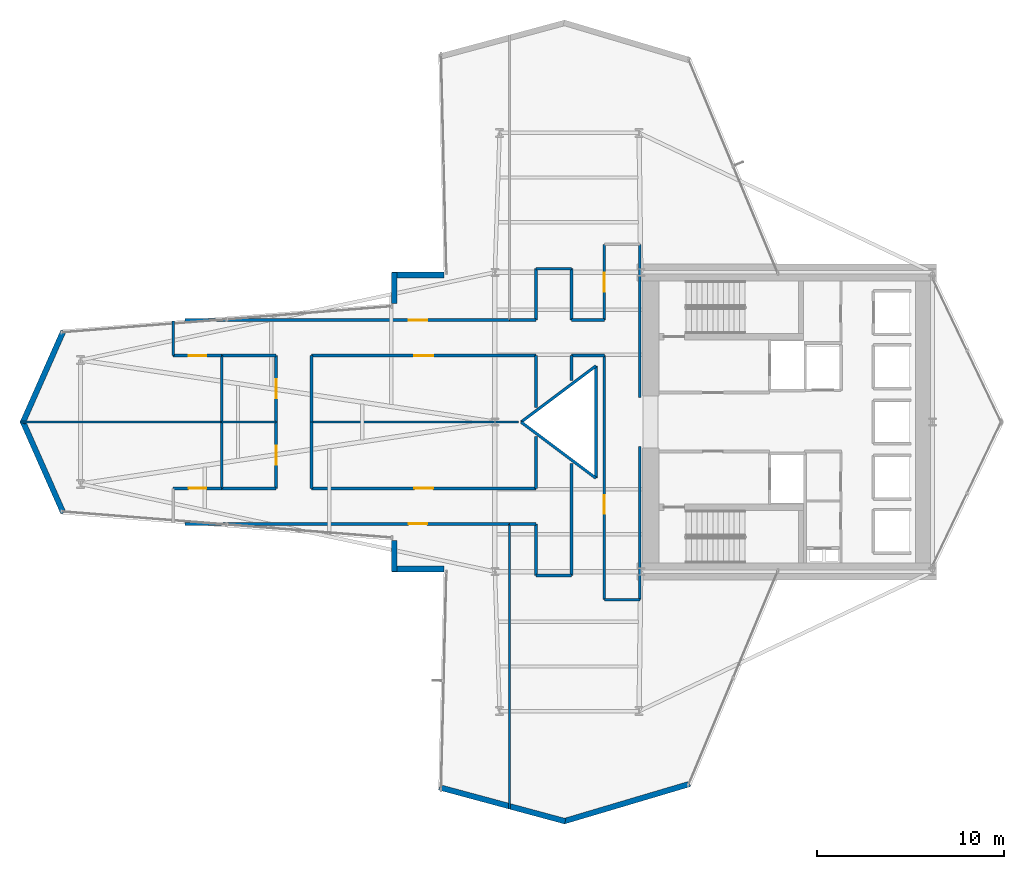
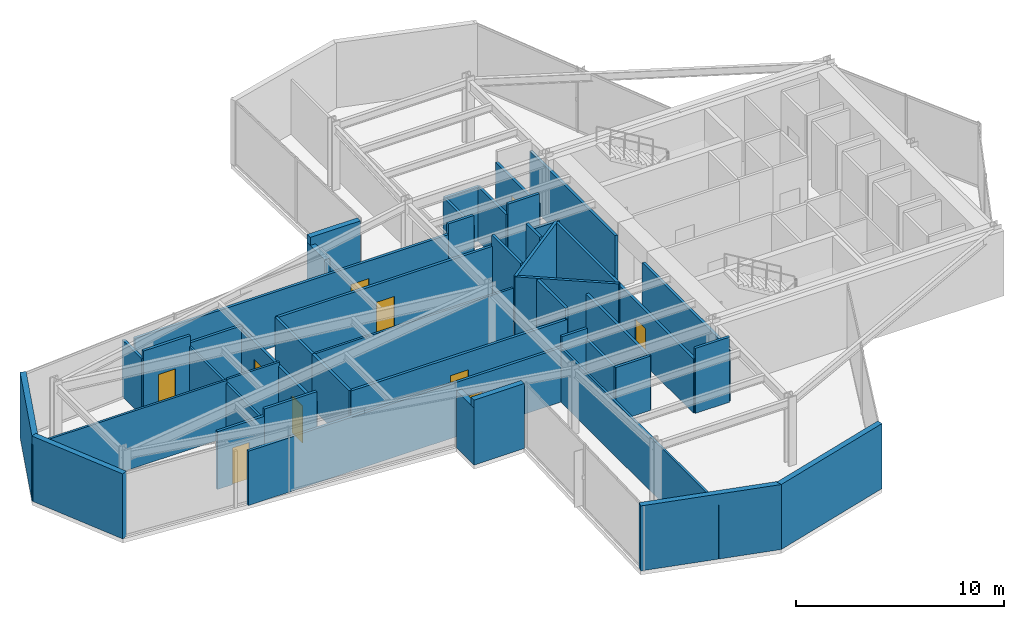
# One storey, part 22 of 25: 48 walls, 10 doors, 10 openings.
"""IFC4 building model written with IfcOpenShell, lengths in metres."""

from ifc_helpers import new_model, si_unit, direction, frame, frame_2d, origin, place, context, subcontext, project, spatial, rectangle, extrude, material, layer, layer_set, type_object, element, fill, save


model = new_model("IFC4")

# Units and contexts
model_context = context("Model", 3, precision=1e-05, world=origin(), true_north=direction((0.0, 1.0)))
body_context = subcontext(model_context, "Body", "Model", "MODEL_VIEW")
ifc_project = project(units=[si_unit("LENGTHUNIT", "METRE"), si_unit("AREAUNIT", "SQUARE_METRE"), si_unit("VOLUMEUNIT", "CUBIC_METRE"), si_unit("PLANEANGLEUNIT", "RADIAN"), si_unit("MASSUNIT", "GRAM", prefix="KILO")], contexts=[model_context])

# Site, building, storey
site_placement = place(None, origin())
site = spatial("IfcSite", under=ifc_project, at=site_placement, CompositionType="ELEMENT")
building_placement = place(site_placement, origin())
building = spatial("IfcBuilding", under=site, at=building_placement, Name="Veymaron Broadcast Tower", CompositionType="ELEMENT")
storey_placement = place(building_placement, frame((0.0, 0.0, 74.25)))
storey = spatial("IfcBuildingStorey", under=building, at=storey_placement, Name="L16", CompositionType="ELEMENT", Elevation=74.25)

# Walls
ifc_material_1 = material(Name="Precast concrete C40/50 with mineral-wool insulation", Category="concrete")
ifc_layer_1 = layer(ifc_material_1, 0.300048828125)
ifc_layer_set_1 = layer_set([ifc_layer_1], Name="Precast concrete C40/50 with mineral-wool insulation")
wall_type_1 = type_object("IfcWallType", Name="WALL-EXT-300", PredefinedType="STANDARD", material=ifc_layer_set_1)
wall_1_placement = place(storey_placement, frame((28.468505859375, 31.860107421875, 0.0), z_axis=(0.0, 0.0, 1.0), x_axis=(-1.0, 0.0, 0.0)))
element("IfcWall", 1, at=wall_1_placement, inside=storey, type_object=wall_type_1, Name="L16 notched corner facade pier 9-1", PredefinedType="STANDARD", context=body_context, shape_type="SweptSolid", body=[
    extrude(rectangle(XDim=2.780517578125, YDim=0.300048828125, at=frame_2d((1.39013671875, 0.0))), origin(), (0.0, 0.0, 1.0), 3.81005859375),
])
wall_2_placement = place(storey_placement, frame((25.827880859375, 32.0, 0.0), z_axis=(0.0, 0.0, 1.0), x_axis=(0.0, -1.0, 0.0)))
element("IfcWall", 2, at=wall_2_placement, inside=storey, type_object=wall_type_1, Name="L16 notched corner facade pier 10-1", PredefinedType="STANDARD", context=body_context, shape_type="SweptSolid", body=[
    extrude(rectangle(XDim=1.67529296875, YDim=0.300048828125, at=frame_2d((0.837646484375, 0.0))), origin(), (0.0, 0.0, 1.0), 3.337890625),
])
for number, where, z_axis, x_axis, name in (
    (3, (8.1279296875, 28.8701171875, 0.0), (0.0, 0.0, 1.0), (-0.405234544412, -0.914212756428, 0.0), "L16 notched corner facade pier 12-1"),
    (4, (5.944091796875, 24.056640625, 0.0), (0.0, 0.0, 1.0), (0.405234544412, -0.914212756428, 0.0), "L16 notched corner facade pier 13-1"),
):
    element("IfcWall", number, at=place(storey_placement, frame(where, z_axis=z_axis, x_axis=x_axis)), inside=storey, type_object=wall_type_1, Name=name, PredefinedType="STANDARD", context=body_context, shape_type="SweptSolid", body=[
        extrude(rectangle(XDim=5.38916015625, YDim=0.300048828125, at=frame_2d((2.694580078125, 0.0))), origin(), (0.0, 0.0, 1.0), 3.81005859375),
    ])
wall_3_placement = place(storey_placement, frame((25.827880859375, 17.67529296875, 0.0), z_axis=(0.0, 0.0, 1.0), x_axis=(0.0, -1.0, 0.0)))
element("IfcWall", 5, at=wall_3_placement, inside=storey, type_object=wall_type_1, Name="L16 notched corner facade pier 15-1", PredefinedType="STANDARD", context=body_context, shape_type="SweptSolid", body=[
    extrude(rectangle(XDim=1.67529296875, YDim=0.300048828125, at=frame_2d((0.837646484375, 0.0))), origin(), (0.0, 0.0, 1.0), 3.337890625),
])
wall_4_placement = place(storey_placement, frame((25.68798828125, 16.139892578125, 0.0), z_axis=(0.0, 0.0, 1.0), x_axis=(1.0, 0.0, 0.0)))
element("IfcWall", 6, at=wall_4_placement, inside=storey, type_object=wall_type_1, Name="L16 notched corner facade pier 16-1", PredefinedType="STANDARD", context=body_context, shape_type="SweptSolid", body=[
    extrude(rectangle(XDim=2.780517578125, YDim=0.300048828125, at=frame_2d((1.39013671875, 0.0))), origin(), (0.0, 0.0, 1.0), 3.81005859375),
])
wall_5_placement = place(storey_placement, frame((28.220458984375, 4.46923828125, 0.0), z_axis=(0.0, 0.0, 1.0), x_axis=(0.965438319853, -0.260631637679, 0.0)))
element("IfcWall", 7, at=wall_5_placement, inside=storey, type_object=wall_type_1, Name="L16 notched corner facade pier 18-1", PredefinedType="STANDARD", context=body_context, shape_type="SweptSolid", body=[
    extrude(rectangle(XDim=6.9833984375, YDim=0.300048828125, at=frame_2d((3.49169921875, 0.0))), origin(), (0.0, 0.0, 1.0), 3.81005859375),
])
wall_6_placement = place(storey_placement, frame((34.885986328125, 2.648193359375, 0.0), z_axis=(0.0, 0.0, 1.0), x_axis=(0.958632659024, 0.284646140064, 0.0)))
element("IfcWall", 8, at=wall_6_placement, inside=storey, type_object=wall_type_1, Name="L16 notched corner facade pier 19-1", PredefinedType="STANDARD", context=body_context, shape_type="SweptSolid", body=[
    extrude(rectangle(XDim=7.033203125, YDim=0.300048828125, at=frame_2d((3.5166015625, 0.0))), origin(), (0.0, 0.0, 1.0), 3.81005859375),
])

# Wall, opening, door
ifc_material_2 = material(Name="Gypsum fireboard and steel stud framing", Category="steel")
ifc_layer_2 = layer(ifc_material_2, 0.14990234375)
ifc_layer_set_2 = layer_set([ifc_layer_2], Name="Gypsum fireboard and steel stud framing")
wall_type_2 = type_object("IfcWallType", Name="WALL-FIRE-150", PredefinedType="PARTITIONING", material=ifc_layer_set_2)
wall_7_placement = place(storey_placement, frame((37.050048828125, 14.5, 0.0), z_axis=(0.0, 0.0, 1.0), x_axis=(0.0, 1.0, 0.0)))
wall_7 = element("IfcWall", 9, at=wall_7_placement, inside=storey, type_object=wall_type_2, Name="L16 partition IW-L16-P01", PredefinedType="PARTITIONING", context=body_context, shape_type="SweptSolid", body=[
    extrude(rectangle(XDim=13.050048828125, YDim=0.14990234375, at=frame_2d((6.52490234375, 0.0))), origin(), (0.0, 0.0, 1.0), 3.180908203125),
])
opening_1_placement = place(wall_7_placement, frame((4.5849609375, 0.0, 0.0)))
opening_1 = element("IfcOpeningElement", 10, at=opening_1_placement, cuts=wall_7, Name="Opening ID-RM3", PredefinedType="OPENING", context=body_context, shape_type="SweptSolid", body=[
    extrude(rectangle(XDim=1.0, YDim=2.14990234375, at=frame_2d((0.5, 1.074951171875))), frame((0.0, 0.0849609375, 0.0), z_axis=(0.0, -1.0, 0.0), x_axis=(1.0, 0.0, 0.0)), (0.0, 0.0, 1.0), 0.169921875),
])
ifc_material_3 = material(Name="Acoustic solid-core European oak veneer timber", Category="wood")
door_type_1 = type_object("IfcDoorType", Name="DOOR-INT-1000", OperationType="NOTDEFINED", PredefinedType="DOOR", material=ifc_material_3)
door_1_placement = place(opening_1_placement, frame((1.0, 0.0, 0.0), z_axis=(0.0, 0.0, 1.0), x_axis=(-1.0, 0.0, 0.0)))
door_1 = element("IfcDoor", 11, at=door_1_placement, inside=storey, type_object=door_type_1, Name="L16 door DR-L16-P01", OperationType="SINGLE_SWING_RIGHT", OverallHeight=2.14990234375, OverallWidth=1.0, PredefinedType="DOOR", context=body_context, shape_type="SweptSolid", body=[
    extrude(rectangle(XDim=1.0, YDim=2.14990234375, at=frame_2d((0.5, 1.074951171875))), frame((0.0, 0.02490234375, 0.0), z_axis=(0.0, -1.0, 0.0), x_axis=(1.0, 0.0, 0.0)), (0.0, 0.0, 1.0), 0.050048828125),
])
fill(opening_1, door_1)

wall_8_placement = place(storey_placement, frame((14.619873046875, 18.550048828125, 0.0), z_axis=(0.0, 0.0, 1.0), x_axis=(1.0, 0.0, 0.0)))
wall_8 = element("IfcWall", 12, at=wall_8_placement, inside=storey, type_object=wall_type_2, Name="L16 partition IW-L16-P10", PredefinedType="PARTITIONING", context=body_context, shape_type="SweptSolid", body=[
    extrude(rectangle(XDim=17.364013671875, YDim=0.14990234375, at=frame_2d((8.68212890625, 0.0))), origin(), (0.0, 0.0, 1.0), 3.180908203125),
])
opening_2_placement = place(wall_8_placement, frame((11.962158203125, 0.0, 0.0)))
opening_2 = element("IfcOpeningElement", 13, at=opening_2_placement, cuts=wall_8, Name="Opening ID-RM3", PredefinedType="OPENING", context=body_context, shape_type="SweptSolid", body=[
    extrude(rectangle(XDim=1.0, YDim=2.14990234375, at=frame_2d((0.5, 1.074951171875))), frame((0.0, 0.0849609375, 0.0), z_axis=(0.0, -1.0, 0.0), x_axis=(1.0, 0.0, 0.0)), (0.0, 0.0, 1.0), 0.169921875),
])
door_2_placement = place(opening_2_placement, frame((1.0, 0.0, 0.0), z_axis=(0.0, 0.0, 1.0), x_axis=(-1.0, 0.0, 0.0)))
door_2 = element("IfcDoor", 14, at=door_2_placement, inside=storey, type_object=door_type_1, Name="L16 door DR-L16-P10", OperationType="SINGLE_SWING_LEFT", OverallHeight=2.14990234375, OverallWidth=1.0, PredefinedType="DOOR", context=body_context, shape_type="SweptSolid", body=[
    extrude(rectangle(XDim=1.0, YDim=2.14990234375, at=frame_2d((0.5, 1.074951171875))), frame((0.0, 0.02490234375, 0.0), z_axis=(0.0, -1.0, 0.0), x_axis=(1.0, 0.0, 0.0)), (0.0, 0.0, 1.0), 0.050048828125),
])
fill(opening_2, door_2)

wall_9_placement = place(storey_placement, frame((14.0, 20.449951171875, 0.0), z_axis=(0.0, 0.0, 1.0), x_axis=(1.0, 0.0, 0.0)))
wall_9 = element("IfcWall", 15, at=wall_9_placement, inside=storey, type_object=wall_type_2, Name="L16 partition IW-L16-P11", PredefinedType="PARTITIONING", context=body_context, shape_type="SweptSolid", body=[
    extrude(rectangle(XDim=2.591064453125, YDim=0.14990234375, at=frame_2d((1.29541015625, 0.0))), origin(), (0.0, 0.0, 1.0), 3.39111328125),
])
opening_3_placement = place(wall_9_placement, frame((0.820556640625, 0.0, 0.0)))
opening_3 = element("IfcOpeningElement", 16, at=opening_3_placement, cuts=wall_9, Name="Opening ID-RM1", PredefinedType="OPENING", context=body_context, shape_type="SweptSolid", body=[
    extrude(rectangle(XDim=0.949951171875, YDim=2.14990234375, at=frame_2d((0.47509765625, 1.074951171875))), frame((0.0, 0.0849609375, 0.0), z_axis=(0.0, -1.0, 0.0), x_axis=(1.0, 0.0, 0.0)), (0.0, 0.0, 1.0), 0.169921875),
])
door_type_2 = type_object("IfcDoorType", Name="DOOR-INT-950", OperationType="NOTDEFINED", PredefinedType="DOOR", material=ifc_material_3)
door_3_placement = place(opening_3_placement, origin())
door_3 = element("IfcDoor", 17, at=door_3_placement, inside=storey, type_object=door_type_2, Name="L16 door DR-L16-P11", OperationType="SINGLE_SWING_RIGHT", OverallHeight=2.14990234375, OverallWidth=0.949951171875, PredefinedType="DOOR", context=body_context, shape_type="SweptSolid", body=[
    extrude(rectangle(XDim=0.949951171875, YDim=2.14990234375, at=frame_2d((0.47509765625, 1.074951171875))), frame((0.0, 0.02490234375, 0.0), z_axis=(0.0, -1.0, 0.0), x_axis=(1.0, 0.0, 0.0)), (0.0, 0.0, 1.0), 0.050048828125),
])
fill(opening_3, door_3)

wall_10_placement = place(storey_placement, frame((21.39990234375, 20.449951171875, 0.0), z_axis=(0.0, 0.0, 1.0), x_axis=(1.0, 0.0, 0.0)))
wall_10 = element("IfcWall", 18, at=wall_10_placement, inside=storey, type_object=wall_type_2, Name="L16 partition IW-L16-P13", PredefinedType="PARTITIONING", context=body_context, shape_type="SweptSolid", body=[
    extrude(rectangle(XDim=12.0, YDim=0.14990234375, at=frame_2d((6.0, 0.0))), origin(), (0.0, 0.0, 1.0), 3.180908203125),
])
opening_4_placement = place(wall_10_placement, frame((5.5, 0.0, 0.0)))
opening_4 = element("IfcOpeningElement", 19, at=opening_4_placement, cuts=wall_10, Name="Opening ID-RM3", PredefinedType="OPENING", context=body_context, shape_type="SweptSolid", body=[
    extrude(rectangle(XDim=1.0, YDim=2.14990234375, at=frame_2d((0.5, 1.074951171875))), frame((0.0, 0.0849609375, 0.0), z_axis=(0.0, -1.0, 0.0), x_axis=(1.0, 0.0, 0.0)), (0.0, 0.0, 1.0), 0.169921875),
])
door_4_placement = place(opening_4_placement, origin())
door_4 = element("IfcDoor", 20, at=door_4_placement, inside=storey, type_object=door_type_1, Name="L16 door DR-L16-P13", OperationType="SINGLE_SWING_RIGHT", OverallHeight=2.14990234375, OverallWidth=1.0, PredefinedType="DOOR", context=body_context, shape_type="SweptSolid", body=[
    extrude(rectangle(XDim=1.0, YDim=2.14990234375, at=frame_2d((0.5, 1.074951171875))), frame((0.0, 0.02490234375, 0.0), z_axis=(0.0, -1.0, 0.0), x_axis=(1.0, 0.0, 0.0)), (0.0, 0.0, 1.0), 0.050048828125),
])
fill(opening_4, door_4)

wall_11_placement = place(storey_placement, frame((19.5, 20.449951171875, 0.0), z_axis=(0.0, 0.0, 1.0), x_axis=(0.0, 1.0, 0.0)))
wall_11 = element("IfcWall", 21, at=wall_11_placement, inside=storey, type_object=wall_type_2, Name="L16 partition IW-L16-P16", PredefinedType="PARTITIONING", context=body_context, shape_type="SweptSolid", body=[
    extrude(rectangle(XDim=3.550048828125, YDim=0.14990234375, at=frame_2d((1.77490234375, 0.0))), origin(), (0.0, 0.0, 1.0), 3.180908203125),
])
opening_5_placement = place(wall_11_placement, frame((1.27490234375, 0.0, 0.0)))
opening_5 = element("IfcOpeningElement", 22, at=opening_5_placement, cuts=wall_11, Name="Opening ID-RM3", PredefinedType="OPENING", context=body_context, shape_type="SweptSolid", body=[
    extrude(rectangle(XDim=1.0, YDim=2.14990234375, at=frame_2d((0.5, 1.074951171875))), frame((0.0, 0.0849609375, 0.0), z_axis=(0.0, -1.0, 0.0), x_axis=(1.0, 0.0, 0.0)), (0.0, 0.0, 1.0), 0.169921875),
])
door_5_placement = place(opening_5_placement, origin())
door_5 = element("IfcDoor", 23, at=door_5_placement, inside=storey, type_object=door_type_1, Name="L16 door DR-L16-P16", OperationType="SINGLE_SWING_LEFT", OverallHeight=2.14990234375, OverallWidth=1.0, PredefinedType="DOOR", context=body_context, shape_type="SweptSolid", body=[
    extrude(rectangle(XDim=1.0, YDim=2.14990234375, at=frame_2d((0.5, 1.074951171875))), frame((0.0, 0.02490234375, 0.0), z_axis=(0.0, -1.0, 0.0), x_axis=(1.0, 0.0, 0.0)), (0.0, 0.0, 1.0), 0.050048828125),
])
fill(opening_5, door_5)

wall_12_placement = place(storey_placement, frame((19.5, 24.0, 0.0), z_axis=(0.0, 0.0, 1.0), x_axis=(0.0, 1.0, 0.0)))
wall_12 = element("IfcWall", 24, at=wall_12_placement, inside=storey, type_object=wall_type_2, Name="L16 partition IW-L16-P18", PredefinedType="PARTITIONING", context=body_context, shape_type="SweptSolid", body=[
    extrude(rectangle(XDim=3.550048828125, YDim=0.14990234375, at=frame_2d((1.77490234375, 0.0))), origin(), (0.0, 0.0, 1.0), 3.180908203125),
])
opening_6_placement = place(wall_12_placement, frame((1.27490234375, 0.0, 0.0)))
opening_6 = element("IfcOpeningElement", 25, at=opening_6_placement, cuts=wall_12, Name="Opening ID-RM3", PredefinedType="OPENING", context=body_context, shape_type="SweptSolid", body=[
    extrude(rectangle(XDim=1.0, YDim=2.14990234375, at=frame_2d((0.5, 1.074951171875))), frame((0.0, 0.0849609375, 0.0), z_axis=(0.0, -1.0, 0.0), x_axis=(1.0, 0.0, 0.0)), (0.0, 0.0, 1.0), 0.169921875),
])
door_6_placement = place(opening_6_placement, origin())
door_6 = element("IfcDoor", 26, at=door_6_placement, inside=storey, type_object=door_type_1, Name="L16 door DR-L16-P18", OperationType="SINGLE_SWING_LEFT", OverallHeight=2.14990234375, OverallWidth=1.0, PredefinedType="DOOR", context=body_context, shape_type="SweptSolid", body=[
    extrude(rectangle(XDim=1.0, YDim=2.14990234375, at=frame_2d((0.5, 1.074951171875))), frame((0.0, 0.02490234375, 0.0), z_axis=(0.0, -1.0, 0.0), x_axis=(1.0, 0.0, 0.0)), (0.0, 0.0, 1.0), 0.050048828125),
])
fill(opening_6, door_6)

wall_13_placement = place(storey_placement, frame((21.39990234375, 27.550048828125, 0.0), z_axis=(0.0, 0.0, 1.0), x_axis=(1.0, 0.0, 0.0)))
wall_13 = element("IfcWall", 27, at=wall_13_placement, inside=storey, type_object=wall_type_2, Name="L16 partition IW-L16-P20", PredefinedType="PARTITIONING", context=body_context, shape_type="SweptSolid", body=[
    extrude(rectangle(XDim=12.0, YDim=0.14990234375, at=frame_2d((6.0, 0.0))), origin(), (0.0, 0.0, 1.0), 3.180908203125),
])
opening_7_placement = place(wall_13_placement, frame((5.5, 0.0, 0.0)))
opening_7 = element("IfcOpeningElement", 28, at=opening_7_placement, cuts=wall_13, Name="Opening ID-RM3", PredefinedType="OPENING", context=body_context, shape_type="SweptSolid", body=[
    extrude(rectangle(XDim=1.0, YDim=2.14990234375, at=frame_2d((0.5, 1.074951171875))), frame((0.0, 0.0849609375, 0.0), z_axis=(0.0, -1.0, 0.0), x_axis=(1.0, 0.0, 0.0)), (0.0, 0.0, 1.0), 0.169921875),
])
door_7_placement = place(opening_7_placement, frame((1.0, 0.0, 0.0), z_axis=(0.0, 0.0, 1.0), x_axis=(-1.0, 0.0, 0.0)))
door_7 = element("IfcDoor", 29, at=door_7_placement, inside=storey, type_object=door_type_1, Name="L16 door DR-L16-P20", OperationType="SINGLE_SWING_LEFT", OverallHeight=2.14990234375, OverallWidth=1.0, PredefinedType="DOOR", context=body_context, shape_type="SweptSolid", body=[
    extrude(rectangle(XDim=1.0, YDim=2.14990234375, at=frame_2d((0.5, 1.074951171875))), frame((0.0, 0.02490234375, 0.0), z_axis=(0.0, -1.0, 0.0), x_axis=(1.0, 0.0, 0.0)), (0.0, 0.0, 1.0), 0.050048828125),
])
fill(opening_7, door_7)

wall_14_placement = place(storey_placement, frame((14.0, 27.550048828125, 0.0), z_axis=(0.0, 0.0, 1.0), x_axis=(1.0, 0.0, 0.0)))
wall_14 = element("IfcWall", 30, at=wall_14_placement, inside=storey, type_object=wall_type_2, Name="L16 partition IW-L16-P23", PredefinedType="PARTITIONING", context=body_context, shape_type="SweptSolid", body=[
    extrude(rectangle(XDim=2.591064453125, YDim=0.14990234375, at=frame_2d((1.29541015625, 0.0))), origin(), (0.0, 0.0, 1.0), 3.81005859375),
])
opening_8_placement = place(wall_14_placement, frame((0.820556640625, 0.0, 0.0)))
opening_8 = element("IfcOpeningElement", 31, at=opening_8_placement, cuts=wall_14, Name="Opening ID-RM1", PredefinedType="OPENING", context=body_context, shape_type="SweptSolid", body=[
    extrude(rectangle(XDim=0.949951171875, YDim=2.14990234375, at=frame_2d((0.47509765625, 1.074951171875))), frame((0.0, 0.0849609375, 0.0), z_axis=(0.0, -1.0, 0.0), x_axis=(1.0, 0.0, 0.0)), (0.0, 0.0, 1.0), 0.169921875),
])
door_8_placement = place(opening_8_placement, frame((0.949951171875, 0.0, 0.0), z_axis=(0.0, 0.0, 1.0), x_axis=(-1.0, 0.0, 0.0)))
door_8 = element("IfcDoor", 32, at=door_8_placement, inside=storey, type_object=door_type_2, Name="L16 door DR-L16-P23", OperationType="SINGLE_SWING_RIGHT", OverallHeight=2.14990234375, OverallWidth=0.949951171875, PredefinedType="DOOR", context=body_context, shape_type="SweptSolid", body=[
    extrude(rectangle(XDim=0.949951171875, YDim=2.14990234375, at=frame_2d((0.47509765625, 1.074951171875))), frame((0.0, 0.02490234375, 0.0), z_axis=(0.0, -1.0, 0.0), x_axis=(1.0, 0.0, 0.0)), (0.0, 0.0, 1.0), 0.050048828125),
])
fill(opening_8, door_8)

wall_15_placement = place(storey_placement, frame((14.619873046875, 29.449951171875, 0.0), z_axis=(0.0, 0.0, 1.0), x_axis=(1.0, 0.0, 0.0)))
wall_15 = element("IfcWall", 33, at=wall_15_placement, inside=storey, type_object=wall_type_2, Name="L16 partition IW-L16-P25", PredefinedType="PARTITIONING", context=body_context, shape_type="SweptSolid", body=[
    extrude(rectangle(XDim=17.364013671875, YDim=0.14990234375, at=frame_2d((8.68212890625, 0.0))), origin(), (0.0, 0.0, 1.0), 3.180908203125),
])
opening_9_placement = place(wall_15_placement, frame((11.962158203125, 0.0, 0.0)))
opening_9 = element("IfcOpeningElement", 34, at=opening_9_placement, cuts=wall_15, Name="Opening ID-RM3", PredefinedType="OPENING", context=body_context, shape_type="SweptSolid", body=[
    extrude(rectangle(XDim=1.0, YDim=2.14990234375, at=frame_2d((0.5, 1.074951171875))), frame((0.0, 0.0849609375, 0.0), z_axis=(0.0, -1.0, 0.0), x_axis=(1.0, 0.0, 0.0)), (0.0, 0.0, 1.0), 0.169921875),
])
door_9_placement = place(opening_9_placement, origin())
door_9 = element("IfcDoor", 35, at=door_9_placement, inside=storey, type_object=door_type_1, Name="L16 door DR-L16-P25", OperationType="SINGLE_SWING_RIGHT", OverallHeight=2.14990234375, OverallWidth=1.0, PredefinedType="DOOR", context=body_context, shape_type="SweptSolid", body=[
    extrude(rectangle(XDim=1.0, YDim=2.14990234375, at=frame_2d((0.5, 1.074951171875))), frame((0.0, 0.02490234375, 0.0), z_axis=(0.0, -1.0, 0.0), x_axis=(1.0, 0.0, 0.0)), (0.0, 0.0, 1.0), 0.050048828125),
])
fill(opening_9, door_9)

wall_16_placement = place(storey_placement, frame((37.050048828125, 29.449951171875, 0.0), z_axis=(0.0, 0.0, 1.0), x_axis=(0.0, 1.0, 0.0)))
wall_16 = element("IfcWall", 36, at=wall_16_placement, inside=storey, type_object=wall_type_2, Name="L16 partition IW-L16-P27", PredefinedType="PARTITIONING", context=body_context, shape_type="SweptSolid", body=[
    extrude(rectangle(XDim=4.050048828125, YDim=0.14990234375, at=frame_2d((2.02490234375, 0.0))), origin(), (0.0, 0.0, 1.0), 3.180908203125),
])
opening_10_placement = place(wall_16_placement, frame((1.52490234375, 0.0, 0.0)))
opening_10 = element("IfcOpeningElement", 37, at=opening_10_placement, cuts=wall_16, Name="Opening ID-RM3", PredefinedType="OPENING", context=body_context, shape_type="SweptSolid", body=[
    extrude(rectangle(XDim=1.0, YDim=2.14990234375, at=frame_2d((0.5, 1.074951171875))), frame((0.0, 0.0849609375, 0.0), z_axis=(0.0, -1.0, 0.0), x_axis=(1.0, 0.0, 0.0)), (0.0, 0.0, 1.0), 0.169921875),
])
door_10_placement = place(opening_10_placement, origin())
door_10 = element("IfcDoor", 38, at=door_10_placement, inside=storey, type_object=door_type_1, Name="L16 door DR-L16-P27", OperationType="SINGLE_SWING_RIGHT", OverallHeight=2.14990234375, OverallWidth=1.0, PredefinedType="DOOR", context=body_context, shape_type="SweptSolid", body=[
    extrude(rectangle(XDim=1.0, YDim=2.14990234375, at=frame_2d((0.5, 1.074951171875))), frame((0.0, 0.02490234375, 0.0), z_axis=(0.0, -1.0, 0.0), x_axis=(1.0, 0.0, 0.0)), (0.0, 0.0, 1.0), 0.050048828125),
])
fill(opening_10, door_10)

# Walls
wall_17_placement = place(storey_placement, frame((38.949951171875, 14.5, 0.0), z_axis=(0.0, 0.0, 1.0), x_axis=(0.0, 1.0, 0.0)))
element("IfcWall", 39, at=wall_17_placement, inside=storey, type_object=wall_type_2, Name="L16 partition IW-L16-P02", PredefinedType="PARTITIONING", context=body_context, shape_type="SweptSolid", body=[
    extrude(rectangle(XDim=8.199951171875, YDim=0.14990234375, at=frame_2d((4.10009765625, 0.0))), origin(), (0.0, 0.0, 1.0), 3.180908203125),
])
wall_18_placement = place(storey_placement, frame((35.300048828125, 15.800048828125, 0.0), z_axis=(0.0, 0.0, 1.0), x_axis=(0.0, 1.0, 0.0)))
element("IfcWall", 40, at=wall_18_placement, inside=storey, type_object=wall_type_2, Name="L16 partition IW-L16-P03", PredefinedType="PARTITIONING", context=body_context, shape_type="SweptSolid", body=[
    extrude(rectangle(XDim=5.987548828125, YDim=0.14990234375, at=frame_2d((2.99365234375, 0.0))), origin(), (0.0, 0.0, 1.0), 3.180908203125),
])
wall_19_placement = place(storey_placement, frame((33.39990234375, 15.800048828125, 0.0), z_axis=(0.0, 0.0, 1.0), x_axis=(0.0, 1.0, 0.0)))
element("IfcWall", 41, at=wall_19_placement, inside=storey, type_object=wall_type_2, Name="L16 partition IW-L16-P04", PredefinedType="PARTITIONING", context=body_context, shape_type="SweptSolid", body=[
    extrude(rectangle(XDim=2.75, YDim=0.14990234375, at=frame_2d((1.375, 0.0))), origin(), (0.0, 0.0, 1.0), 3.180908203125),
])
wall_20_placement = place(storey_placement, frame((37.050048828125, 14.5, 0.0), z_axis=(0.0, 0.0, 1.0), x_axis=(1.0, 0.0, 0.0)))
element("IfcWall", 42, at=wall_20_placement, inside=storey, type_object=wall_type_2, Name="L16 partition IW-L16-P05", PredefinedType="PARTITIONING", context=body_context, shape_type="SweptSolid", body=[
    extrude(rectangle(XDim=1.89990234375, YDim=0.14990234375, at=frame_2d((0.949951171875, 0.0))), origin(), (0.0, 0.0, 1.0), 3.81005859375),
])
wall_21_placement = place(storey_placement, frame((33.39990234375, 15.800048828125, 0.0), z_axis=(0.0, 0.0, 1.0), x_axis=(1.0, 0.0, 0.0)))
element("IfcWall", 43, at=wall_21_placement, inside=storey, type_object=wall_type_2, Name="L16 partition IW-L16-P06", PredefinedType="PARTITIONING", context=body_context, shape_type="SweptSolid", body=[
    extrude(rectangle(XDim=1.900146484375, YDim=0.14990234375, at=frame_2d((0.9501953125, 0.0))), origin(), (0.0, 0.0, 1.0), 3.180908203125),
])
wall_22_placement = place(storey_placement, frame((35.300048828125, 27.550048828125, 0.0), z_axis=(0.0, 0.0, 1.0), x_axis=(1.0, 0.0, 0.0)))
element("IfcWall", 44, at=wall_22_placement, inside=storey, type_object=wall_type_2, Name="L16 partition IW-L16-P07", PredefinedType="PARTITIONING", context=body_context, shape_type="SweptSolid", body=[
    extrude(rectangle(XDim=1.75, YDim=0.14990234375, at=frame_2d((0.875, 0.0))), origin(), (0.0, 0.0, 1.0), 3.39111328125),
])
wall_23_placement = place(storey_placement, frame((31.98388671875, 18.550048828125, 0.0), z_axis=(0.0, 0.0, 1.0), x_axis=(1.0, 0.0, 0.0)))
element("IfcWall", 45, at=wall_23_placement, inside=storey, type_object=wall_type_2, Name="L16 partition IW-L16-P08", PredefinedType="PARTITIONING", context=body_context, shape_type="SweptSolid", body=[
    extrude(rectangle(XDim=1.416015625, YDim=0.14990234375, at=frame_2d((0.7080078125, 0.0))), origin(), (0.0, 0.0, 1.0), 3.81005859375),
])
wall_24_placement = place(storey_placement, frame((35.300048828125, 26.21240234375, 0.0), z_axis=(0.0, 0.0, 1.0), x_axis=(0.0, 1.0, 0.0)))
element("IfcWall", 46, at=wall_24_placement, inside=storey, type_object=wall_type_2, Name="L16 partition IW-L16-P09", PredefinedType="PARTITIONING", context=body_context, shape_type="SweptSolid", body=[
    extrude(rectangle(XDim=1.337646484375, YDim=0.14990234375, at=frame_2d((0.6689453125, 0.0))), origin(), (0.0, 0.0, 1.0), 3.81005859375),
])
wall_25_placement = place(storey_placement, frame((21.39990234375, 20.449951171875, 0.0), z_axis=(0.0, 0.0, 1.0), x_axis=(0.0, 1.0, 0.0)))
element("IfcWall", 47, at=wall_25_placement, inside=storey, type_object=wall_type_2, Name="L16 partition IW-L16-P14", PredefinedType="PARTITIONING", context=body_context, shape_type="SweptSolid", body=[
    extrude(rectangle(XDim=3.550048828125, YDim=0.14990234375, at=frame_2d((1.77490234375, 0.0))), origin(), (0.0, 0.0, 1.0), 3.180908203125),
])
wall_26_placement = place(storey_placement, frame((33.39990234375, 20.449951171875, 0.0), z_axis=(0.0, 0.0, 1.0), x_axis=(0.0, 1.0, 0.0)))
element("IfcWall", 48, at=wall_26_placement, inside=storey, type_object=wall_type_2, Name="L16 partition IW-L16-P15", PredefinedType="PARTITIONING", context=body_context, shape_type="SweptSolid", body=[
    extrude(rectangle(XDim=2.762451171875, YDim=0.14990234375, at=frame_2d((1.38134765625, 0.0))), origin(), (0.0, 0.0, 1.0), 3.81005859375),
])
wall_27_placement = place(storey_placement, frame((16.591064453125, 20.449951171875, 0.0), z_axis=(0.0, 0.0, 1.0), x_axis=(1.0, 0.0, 0.0)))
element("IfcWall", 49, at=wall_27_placement, inside=storey, type_object=wall_type_2, Name="L16 partition IW-L16-P17", PredefinedType="PARTITIONING", context=body_context, shape_type="SweptSolid", body=[
    extrude(rectangle(XDim=2.908935546875, YDim=0.14990234375, at=frame_2d((1.45458984375, 0.0))), origin(), (0.0, 0.0, 1.0), 3.81005859375),
])
wall_28_placement = place(storey_placement, frame((16.591064453125, 27.550048828125, 0.0), z_axis=(0.0, 0.0, 1.0), x_axis=(1.0, 0.0, 0.0)))
element("IfcWall", 50, at=wall_28_placement, inside=storey, type_object=wall_type_2, Name="L16 partition IW-L16-P19", PredefinedType="PARTITIONING", context=body_context, shape_type="SweptSolid", body=[
    extrude(rectangle(XDim=2.908935546875, YDim=0.14990234375, at=frame_2d((1.45458984375, 0.0))), origin(), (0.0, 0.0, 1.0), 3.39111328125),
])
wall_29_placement = place(storey_placement, frame((21.39990234375, 24.0, 0.0), z_axis=(0.0, 0.0, 1.0), x_axis=(0.0, 1.0, 0.0)))
element("IfcWall", 51, at=wall_29_placement, inside=storey, type_object=wall_type_2, Name="L16 partition IW-L16-P21", PredefinedType="PARTITIONING", context=body_context, shape_type="SweptSolid", body=[
    extrude(rectangle(XDim=3.550048828125, YDim=0.14990234375, at=frame_2d((1.77490234375, 0.0))), origin(), (0.0, 0.0, 1.0), 3.180908203125),
])
wall_30_placement = place(storey_placement, frame((33.39990234375, 24.78759765625, 0.0), z_axis=(0.0, 0.0, 1.0), x_axis=(0.0, 1.0, 0.0)))
element("IfcWall", 52, at=wall_30_placement, inside=storey, type_object=wall_type_2, Name="L16 partition IW-L16-P22", PredefinedType="PARTITIONING", context=body_context, shape_type="SweptSolid", body=[
    extrude(rectangle(XDim=2.762451171875, YDim=0.14990234375, at=frame_2d((1.38134765625, 0.0))), origin(), (0.0, 0.0, 1.0), 3.81005859375),
])
wall_31_placement = place(storey_placement, frame((14.0, 27.550048828125, 0.0), z_axis=(0.0, 0.0, 1.0), x_axis=(0.0, 1.0, 0.0)))
element("IfcWall", 53, at=wall_31_placement, inside=storey, type_object=wall_type_2, Name="L16 partition IW-L16-P24", PredefinedType="PARTITIONING", context=body_context, shape_type="SweptSolid", body=[
    extrude(rectangle(XDim=1.850830078125, YDim=0.14990234375, at=frame_2d((0.92529296875, 0.0))), origin(), (0.0, 0.0, 1.0), 3.337890625),
])
wall_32_placement = place(storey_placement, frame((38.949951171875, 25.300048828125, 0.0), z_axis=(0.0, 0.0, 1.0), x_axis=(0.0, 1.0, 0.0)))
element("IfcWall", 54, at=wall_32_placement, inside=storey, type_object=wall_type_2, Name="L16 partition IW-L16-P26", PredefinedType="PARTITIONING", context=body_context, shape_type="SweptSolid", body=[
    extrude(rectangle(XDim=8.199951171875, YDim=0.14990234375, at=frame_2d((4.10009765625, 0.0))), origin(), (0.0, 0.0, 1.0), 3.180908203125),
])
for number, where, z_axis, x_axis, name in (
    (55, (33.39990234375, 29.449951171875, 0.0), (0.0, 0.0, 1.0), (0.0, 1.0, 0.0), "L16 partition IW-L16-P28"),
    (56, (35.300048828125, 29.449951171875, 0.0), (0.0, 0.0, 1.0), (0.0, 1.0, 0.0), "L16 partition IW-L16-P29"),
):
    element("IfcWall", number, at=place(storey_placement, frame(where, z_axis=z_axis, x_axis=x_axis)), inside=storey, type_object=wall_type_2, Name=name, PredefinedType="PARTITIONING", context=body_context, shape_type="SweptSolid", body=[
        extrude(rectangle(XDim=2.75, YDim=0.14990234375, at=frame_2d((1.375, 0.0))), origin(), (0.0, 0.0, 1.0), 3.180908203125),
    ])
wall_33_placement = place(storey_placement, frame((33.39990234375, 32.199951171875, 0.0), z_axis=(0.0, 0.0, 1.0), x_axis=(1.0, 0.0, 0.0)))
element("IfcWall", 57, at=wall_33_placement, inside=storey, type_object=wall_type_2, Name="L16 partition IW-L16-P31", PredefinedType="PARTITIONING", context=body_context, shape_type="SweptSolid", body=[
    extrude(rectangle(XDim=1.900146484375, YDim=0.14990234375, at=frame_2d((0.9501953125, 0.0))), origin(), (0.0, 0.0, 1.0), 3.180908203125),
])
wall_34_placement = place(storey_placement, frame((35.300048828125, 29.449951171875, 0.0), z_axis=(0.0, 0.0, 1.0), x_axis=(1.0, 0.0, 0.0)))
element("IfcWall", 58, at=wall_34_placement, inside=storey, type_object=wall_type_2, Name="L16 partition IW-L16-P32", PredefinedType="PARTITIONING", context=body_context, shape_type="SweptSolid", body=[
    extrude(rectangle(XDim=1.75, YDim=0.14990234375, at=frame_2d((0.875, 0.0))), origin(), (0.0, 0.0, 1.0), 3.81005859375),
])
wall_35_placement = place(storey_placement, frame((31.98388671875, 29.449951171875, 0.0), z_axis=(0.0, 0.0, 1.0), x_axis=(1.0, 0.0, 0.0)))
element("IfcWall", 59, at=wall_35_placement, inside=storey, type_object=wall_type_2, Name="L16 partition IW-L16-P33", PredefinedType="PARTITIONING", context=body_context, shape_type="SweptSolid", body=[
    extrude(rectangle(XDim=1.416015625, YDim=0.14990234375, at=frame_2d((0.7080078125, 0.0))), origin(), (0.0, 0.0, 1.0), 3.81005859375),
])
ifc_material_4 = material(Name="Fire-rated laminated glass in aluminium frame", Category="aluminium")
ifc_layer_3 = layer(ifc_material_4, 0.14990234375)
ifc_layer_set_3 = layer_set([ifc_layer_3], Name="Fire-rated laminated glass in aluminium frame")
wall_type_3 = type_object("IfcWallType", Name="WALL-GLZ-150", PredefinedType="MOVABLE", material=ifc_layer_set_3)
wall_36_placement = place(storey_placement, frame((32.60009765625, 24.0, 0.0), z_axis=(0.0, 0.0, 1.0), x_axis=(0.8, -0.6, 0.0)))
element("IfcWall", 60, at=wall_36_placement, inside=storey, type_object=wall_type_3, Name="L16 partition IW-L16-ATR1", PredefinedType="MOVABLE", context=body_context, shape_type="SweptSolid", body=[
    extrude(rectangle(XDim=5.0, YDim=0.14990234375, at=frame_2d((2.5, 0.0))), origin(), (0.0, 0.0, 1.0), 3.81005859375),
])
wall_37_placement = place(storey_placement, frame((36.60009765625, 21.0, 0.0), z_axis=(0.0, 0.0, 1.0), x_axis=(0.0, 1.0, 0.0)))
element("IfcWall", 61, at=wall_37_placement, inside=storey, type_object=wall_type_3, Name="L16 partition IW-L16-ATR2", PredefinedType="MOVABLE", context=body_context, shape_type="SweptSolid", body=[
    extrude(rectangle(XDim=6.0, YDim=0.14990234375, at=frame_2d((3.0, 0.0))), origin(), (0.0, 0.0, 1.0), 3.81005859375),
])
wall_38_placement = place(storey_placement, frame((36.60009765625, 27.0, 0.0), z_axis=(0.0, 0.0, 1.0), x_axis=(-0.8, -0.6, 0.0)))
element("IfcWall", 62, at=wall_38_placement, inside=storey, type_object=wall_type_3, Name="L16 partition IW-L16-ATR3", PredefinedType="MOVABLE", context=body_context, shape_type="SweptSolid", body=[
    extrude(rectangle(XDim=5.0, YDim=0.14990234375, at=frame_2d((2.5, 0.0))), origin(), (0.0, 0.0, 1.0), 3.81005859375),
])
ifc_material_5 = material(Name="Acoustic gypsum board and galvanized stud", Category="gypsum")
ifc_layer_4 = layer(ifc_material_5, 0.1201171875)
ifc_layer_set_4 = layer_set([ifc_layer_4], Name="Acoustic gypsum board and galvanized stud")
wall_type_4 = type_object("IfcWallType", Name="WALL-PART-120", PredefinedType="PARTITIONING", material=ifc_layer_set_4)
wall_39_placement = place(storey_placement, frame((31.98388671875, 3.30810546875, 0.0), z_axis=(0.0, 0.0, 1.0), x_axis=(0.0, 1.0, 0.0)))
element("IfcWall", 63, at=wall_39_placement, inside=storey, type_object=wall_type_4, Name="L16 partition IW-L16-P34", PredefinedType="PARTITIONING", context=body_context, shape_type="SweptSolid", body=[
    extrude(rectangle(XDim=15.241943359375, YDim=0.1201171875, at=frame_2d((7.62109375, 0.0))), origin(), (0.0, 0.0, 1.0), 3.180908203125),
])
wall_40_placement = place(storey_placement, frame((16.591064453125, 20.449951171875, 0.0), z_axis=(0.0, 0.0, 1.0), x_axis=(0.0, 1.0, 0.0)))
element("IfcWall", 64, at=wall_40_placement, inside=storey, type_object=wall_type_4, Name="L16 partition IW-L16-P35", PredefinedType="PARTITIONING", context=body_context, shape_type="SweptSolid", body=[
    extrude(rectangle(XDim=3.550048828125, YDim=0.1201171875, at=frame_2d((1.77490234375, 0.0))), origin(), (0.0, 0.0, 1.0), 3.180908203125),
])
wall_41_placement = place(storey_placement, frame((5.81591796875, 24.0, 0.0), z_axis=(0.0, 0.0, 1.0), x_axis=(1.0, 0.0, 0.0)))
element("IfcWall", 65, at=wall_41_placement, inside=storey, type_object=wall_type_4, Name="L16 partition IW-L16-P36", PredefinedType="PARTITIONING", context=body_context, shape_type="SweptSolid", body=[
    extrude(rectangle(XDim=10.775146484375, YDim=0.1201171875, at=frame_2d((5.3876953125, 0.0))), origin(), (0.0, 0.0, 1.0), 3.337890625),
])
wall_42_placement = place(storey_placement, frame((21.39990234375, 24.0, 0.0), z_axis=(0.0, 0.0, 1.0), x_axis=(1.0, 0.0, 0.0)))
element("IfcWall", 66, at=wall_42_placement, inside=storey, type_object=wall_type_4, Name="L16 partition IW-L16-P37", PredefinedType="PARTITIONING", context=body_context, shape_type="SweptSolid", body=[
    extrude(rectangle(XDim=11.05029296875, YDim=0.1201171875, at=frame_2d((5.525146484375, 0.0))), origin(), (0.0, 0.0, 1.0), 3.180908203125),
])
wall_43_placement = place(storey_placement, frame((16.591064453125, 24.0, 0.0), z_axis=(0.0, 0.0, 1.0), x_axis=(1.0, 0.0, 0.0)))
element("IfcWall", 67, at=wall_43_placement, inside=storey, type_object=wall_type_4, Name="L16 partition IW-L16-P38", PredefinedType="PARTITIONING", context=body_context, shape_type="SweptSolid", body=[
    extrude(rectangle(XDim=2.908935546875, YDim=0.1201171875, at=frame_2d((1.45458984375, 0.0))), origin(), (0.0, 0.0, 1.0), 3.39111328125),
])
wall_44_placement = place(storey_placement, frame((16.591064453125, 24.0, 0.0), z_axis=(0.0, 0.0, 1.0), x_axis=(0.0, 1.0, 0.0)))
element("IfcWall", 68, at=wall_44_placement, inside=storey, type_object=wall_type_4, Name="L16 partition IW-L16-P39", PredefinedType="PARTITIONING", context=body_context, shape_type="SweptSolid", body=[
    extrude(rectangle(XDim=3.550048828125, YDim=0.1201171875, at=frame_2d((1.77490234375, 0.0))), origin(), (0.0, 0.0, 1.0), 3.180908203125),
])

save(model, "model.ifc")
